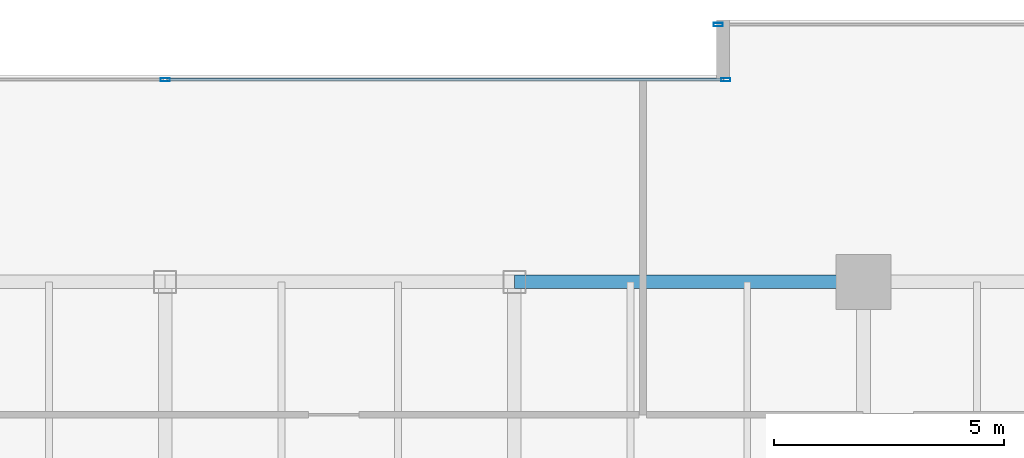
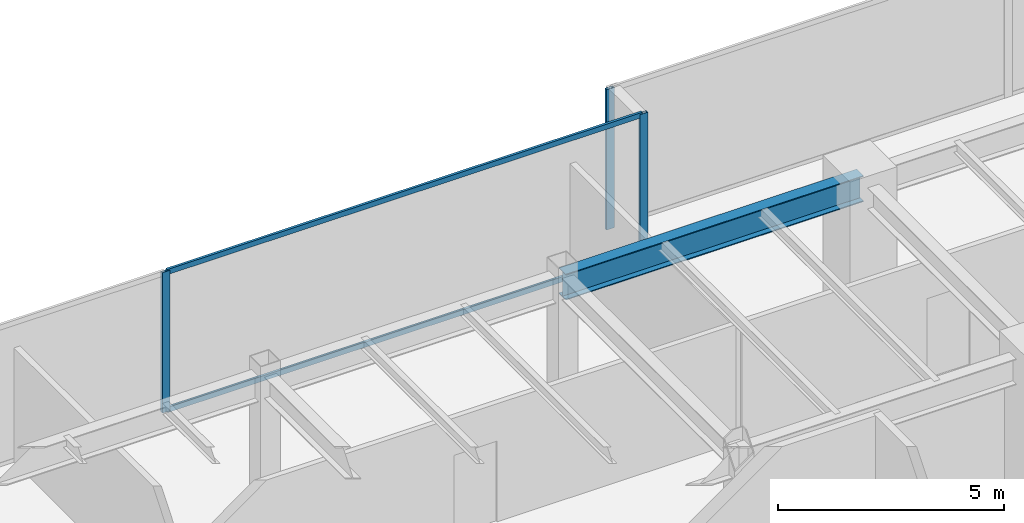
# One storey, part 18 of 31: 5 members, 1 beam, 2 elements without a shape of their own.
"""IFC4 building model written with IfcOpenShell, lengths in metres."""

import ifcopenshell
import ifcopenshell.guid

model = None  # the IFC model being written
_history = None  # IfcOwnerHistory: only IFC2X3 demands one
_inside = {}  # id of a spatial element -> (the spatial element, [elements in it])
_under = {}  # id of a project, library or spatial element -> (it, [spatial elements below it])
_declared = {}  # id of a project -> (the project, [libraries it declares])
_typed = {}  # id of a type object -> (the type object, [elements of that type])
_made_of = {}  # id of a material, layer set ... -> (it, [elements and type objects made of it])


def new_model(schema):
    """Start an empty IFC model of exactly this schema.

    Asked for "IFC4X3", IfcOpenShell would pick the latest addendum, in which some entities
    have other attributes; the version numbers below select the first issue.
    IFC2X3 requires an IfcOwnerHistory on every rooted entity: one is made here for all.
    """
    global model, _history
    if schema == "IFC4X3":
        model = ifcopenshell.file(schema_version=(4, 3, 0, 0))
    else:
        model = ifcopenshell.file(schema=schema)
    _inside.clear()
    _under.clear()
    _declared.clear()
    _typed.clear()
    _made_of.clear()
    _history = None
    if model.schema == "IFC2X3":
        org = make("IfcOrganization", Name="unknown")
        user = make(
            "IfcPersonAndOrganization",
            ThePerson=make("IfcPerson", FamilyName="unknown"),
            TheOrganization=org,
        )
        app = make(
            "IfcApplication",
            ApplicationDeveloper=org,
            Version="unknown",
            ApplicationFullName="unknown",
            ApplicationIdentifier="unknown",
        )
        _history = make(
            "IfcOwnerHistory",
            OwningUser=user,
            OwningApplication=app,
            ChangeAction="ADDED",
            CreationDate=0,
        )
    return model


def make(cls, **values):
    """One entity of the class cls with the attributes given. An attribute that is None is left unset."""
    return model.create_entity(
        cls, **{name: value for name, value in values.items() if value is not None}
    )


def rooted(cls, **values):
    """An entity with a GlobalId (a new one), such as an element, a storey or a relation."""
    return make(cls, GlobalId=ifcopenshell.guid.new(), OwnerHistory=_history, **values)


def si_unit(unit_type, name, prefix=None):
    """IfcSIUnit, for example si_unit("LENGTHUNIT", "METRE", prefix="MILLI")."""
    return make("IfcSIUnit", UnitType=unit_type, Prefix=prefix, Name=name)


def assignment(units):
    """IfcUnitAssignment: the units of a project."""
    return None if units is None else make("IfcUnitAssignment", Units=units)


def point(xyz):
    """IfcCartesianPoint."""
    return None if xyz is None else make("IfcCartesianPoint", Coordinates=xyz)


def direction(xyz):
    """IfcDirection."""
    return None if xyz is None else make("IfcDirection", DirectionRatios=xyz)


def frame(location, z_axis=None, x_axis=None):
    """IfcAxis2Placement3D, a coordinate frame: its origin and axes. An axis left out is left unset."""
    return make(
        "IfcAxis2Placement3D",
        Location=point(location),
        Axis=direction(z_axis),
        RefDirection=direction(x_axis),
    )


def frame_2d(location, x_axis=None):
    """IfcAxis2Placement2D, a coordinate frame in the plane: its origin and x axis."""
    return make(
        "IfcAxis2Placement2D", Location=point(location), RefDirection=direction(x_axis)
    )


def origin():
    """The frame at (0, 0, 0) with its axes left unset."""
    return frame((0.0, 0.0, 0.0))


def origin_2d():
    """The frame at (0, 0) in the plane with its x axis left unset."""
    return frame_2d((0.0, 0.0))


def place(relative_to, where):
    """IfcLocalPlacement: puts the frame where relative to a parent placement (None: the world)."""
    return make(
        "IfcLocalPlacement", PlacementRelTo=relative_to, RelativePlacement=where
    )


def context(
    kind, dimensions, precision=None, world=None, true_north=None, identifier=None
):
    """IfcGeometricRepresentationContext, for example the 3D "Model" context."""
    return make(
        "IfcGeometricRepresentationContext",
        ContextIdentifier=identifier,
        ContextType=kind,
        CoordinateSpaceDimension=dimensions,
        Precision=precision,
        WorldCoordinateSystem=world,
        TrueNorth=true_north,
    )


def subcontext(parent, identifier, kind, view, scale=None):
    """IfcGeometricRepresentationSubContext, for example "Body" below "Model"."""
    return make(
        "IfcGeometricRepresentationSubContext",
        ContextIdentifier=identifier,
        ContextType=kind,
        ParentContext=parent,
        TargetScale=scale,
        TargetView=view,
    )


def project(units=None, contexts=None):
    """IfcProject with its units and contexts."""
    return rooted(
        "IfcProject",
        Name="project",
        RepresentationContexts=contexts,
        UnitsInContext=assignment(units),
    )


def spatial(cls, under=None, at=None, **own):
    """A site, building, storey or space (cls), placed at a placement, below another one or the project."""
    s = rooted(cls, ObjectPlacement=at, **own)
    if under is not None:
        _under.setdefault(under.id(), (under, []))[1].append(s)
    return s


def profile(cls, at=None, kind="AREA", **sizes):
    """A parametric profile (cls). Its sizes go by their IFC names, for example OverallWidth=200.0."""
    return make(cls, ProfileType=kind, Position=at, **sizes)


def hollow_rectangle(**sizes):
    """IfcRectangleHollowProfileDef."""
    return profile("IfcRectangleHollowProfileDef", **sizes)


def i_section(**sizes):
    """IfcIShapeProfileDef."""
    return profile("IfcIShapeProfileDef", **sizes)


def extrude(swept, where, along, depth):
    """IfcExtrudedAreaSolid: the profile swept, set in the frame where, extruded along a direction by depth."""
    return make(
        "IfcExtrudedAreaSolid",
        SweptArea=swept,
        Position=where,
        ExtrudedDirection=direction(along),
        Depth=depth,
    )


def shape(context_of_items, identifier, shape_type, items):
    """IfcShapeRepresentation: the items that make up one representation, for example the "Body"."""
    return make(
        "IfcShapeRepresentation",
        ContextOfItems=context_of_items,
        RepresentationIdentifier=identifier,
        RepresentationType=shape_type,
        Items=items,
    )


def source(mapping_origin, context_of_items, identifier, shape_type, items):
    """IfcRepresentationMap: a shape defined once, which mapped items show again and again."""
    return make(
        "IfcRepresentationMap",
        MappingOrigin=mapping_origin,
        MappedRepresentation=shape(context_of_items, identifier, shape_type, items),
    )


def transform(
    local_origin,
    x_axis=None,
    y_axis=None,
    z_axis=None,
    scale=None,
    scale2=None,
    scale3=None,
    uniform=True,
):
    """IfcCartesianTransformationOperator3D, or its non-uniform kind. x_axis, y_axis, z_axis: its Axis1, 2, 3."""
    if uniform:
        return make(
            "IfcCartesianTransformationOperator3D",
            Axis1=direction(x_axis),
            Axis2=direction(y_axis),
            LocalOrigin=point(local_origin),
            Scale=scale,
            Axis3=direction(z_axis),
        )
    return make(
        "IfcCartesianTransformationOperator3DnonUniform",
        Axis1=direction(x_axis),
        Axis2=direction(y_axis),
        LocalOrigin=point(local_origin),
        Scale=scale,
        Axis3=direction(z_axis),
        Scale2=scale2,
        Scale3=scale3,
    )


def mapped(mapping_source, mapping_target):
    """IfcMappedItem: shows the shape of a source again, moved by a transform."""
    return make(
        "IfcMappedItem", MappingSource=mapping_source, MappingTarget=mapping_target
    )


def material(Name=None, Category=None):
    """IfcMaterial."""
    return make("IfcMaterial", Name=Name, Category=Category)


def layer(
    of_material, thickness, ventilated=None, Name=None, Category=None, Priority=None
):
    """IfcMaterialLayer: one layer of a wall or slab, of a material (None: an air gap)."""
    return make(
        "IfcMaterialLayer",
        Material=of_material,
        LayerThickness=thickness,
        IsVentilated=ventilated,
        Name=Name,
        Category=Category,
        Priority=Priority,
    )


def layer_set(layers, Name=None):
    """IfcMaterialLayerSet."""
    return make("IfcMaterialLayerSet", MaterialLayers=layers, LayerSetName=Name)


def material_profile(
    of_material, cross_section, Name=None, Category=None, Priority=None
):
    """IfcMaterialProfile: a cross section and its material."""
    return make(
        "IfcMaterialProfile",
        Name=Name,
        Material=of_material,
        Profile=cross_section,
        Priority=Priority,
        Category=Category,
    )


def profile_set(profiles, Name=None, composite=None):
    """IfcMaterialProfileSet."""
    return make(
        "IfcMaterialProfileSet",
        Name=Name,
        MaterialProfiles=profiles,
        CompositeProfile=composite,
    )


def made_of(thing, what):
    """Note that an element or type object is made of a material, layer set ...; save() writes the relation."""
    if what is not None:
        _made_of.setdefault(what.id(), (what, []))[1].append(thing)
    return thing


def type_object(cls, material=None, **own):
    """A type object (cls), such as IfcWallType, which elements share."""
    return made_of(rooted(cls, **own), material)


def type_shapes(of_type, sources):
    """Give a type object the sources (RepresentationMaps) that its elements show as mapped items."""
    of_type.RepresentationMaps = sources


def element(
    cls,
    number,
    at=None,
    inside=None,
    cuts=None,
    type_object=None,
    material=None,
    context=None,
    identifier="Body",
    shape_type=None,
    held_by="IfcProductDefinitionShape",
    body=None,
    shapes=None,
    **own,
):
    """One element of the class cls, such as IfcWall. Its Tag is "e" and its number.

    at: its placement. inside: the storey or other place that contains it. cuts: it is an
    opening in that element (IfcRelVoidsElement). A single representation is given by context,
    identifier, shape_type and body (its items); several are given by shapes. held_by: the class
    of the entity that holds the representations. save() writes the other relations.
    """
    e = rooted(cls, Tag="e%d" % number, ObjectPlacement=at, **own)
    if body is not None:
        shapes = [shape(context, identifier, shape_type, body)]
    if shapes is not None:
        e.Representation = make(held_by, Representations=shapes)
    if inside is not None:
        _inside.setdefault(inside.id(), (inside, []))[1].append(e)
    if cuts is not None:
        rooted(
            "IfcRelVoidsElement", RelatingBuildingElement=cuts, RelatedOpeningElement=e
        )
    if type_object is not None:
        _typed.setdefault(type_object.id(), (type_object, []))[1].append(e)
    return made_of(e, material)


def aggregate(whole, parts):
    """IfcRelAggregates: a whole, such as a stair, and the parts it consists of."""
    return rooted("IfcRelAggregates", RelatingObject=whole, RelatedObjects=parts)


def save(model, path):
    """Write the relations noted so far, then the file.

    IfcRelAggregates (storeys below a building ...), IfcRelContainedInSpatialStructure (elements
    in a storey), IfcRelDefinesByType, IfcRelAssociatesMaterial and IfcRelDeclares: one each for
    every whole, place, type object, material and project.
    """
    for whole, parts in _under.values():
        aggregate(whole, parts)
    for where, things in _inside.values():
        rooted(
            "IfcRelContainedInSpatialStructure",
            RelatedElements=things,
            RelatingStructure=where,
        )
    for kind, things in _typed.values():
        rooted("IfcRelDefinesByType", RelatedObjects=things, RelatingType=kind)
    for what, things in _made_of.values():
        rooted("IfcRelAssociatesMaterial", RelatedObjects=things, RelatingMaterial=what)
    for by, libraries in _declared.values():
        rooted("IfcRelDeclares", RelatingContext=by, RelatedDefinitions=libraries)
    model.write(path)


model = new_model("IFC4")

# Units and contexts
model_context = context("Model", 3, precision=1e-05, world=origin(), true_north=direction((0.0, 1.0)))
body_context = subcontext(model_context, "Body", "Model", "MODEL_VIEW")
ifc_project = project(units=[si_unit("LENGTHUNIT", "METRE"), si_unit("AREAUNIT", "SQUARE_METRE"), si_unit("VOLUMEUNIT", "CUBIC_METRE"), si_unit("PLANEANGLEUNIT", "RADIAN"), si_unit("MASSUNIT", "GRAM", prefix="KILO")], contexts=[model_context])

# Site, building, storey
site_placement = place(None, origin())
site = spatial("IfcSite", under=ifc_project, at=site_placement, CompositionType="ELEMENT")
building_placement = place(site_placement, origin())
building = spatial("IfcBuilding", under=site, at=building_placement, Name="Haelvirn Gate Laboratories", CompositionType="ELEMENT")
storey_placement = place(building_placement, frame((0.0, 0.0, 154.300048828125)))
storey = spatial("IfcBuildingStorey", under=building, at=storey_placement, Name="L37", CompositionType="ELEMENT", Elevation=154.300048828125)

# Beam
ifc_material_1 = material(Name="Steel SM355", Category="steel")
ifc_material_profile_1 = material_profile(ifc_material_1, i_section(OverallWidth=0.300048828125, OverallDepth=0.699951171875, WebThickness=0.012939453125, FlangeThickness=0.02392578125, at=origin_2d()), Name="H-700x300x13x24")
ifc_profile_set_1 = profile_set([ifc_material_profile_1], Name="Steel SM355")
beam_type = type_object("IfcBeamType", Name="BM-G-700", PredefinedType="BEAM", material=ifc_profile_set_1)
shared_shape_1 = source(origin(), body_context, "Body", "SweptSolid", [
    extrude(i_section(OverallWidth=0.300048828125, OverallDepth=0.699951171875, WebThickness=0.012939453125, FlangeThickness=0.02392578125, at=origin_2d()), origin(), (0.0, 0.0, 1.0), 7.60009765625),
])
type_shapes(beam_type, [shared_shape_1])
beam_placement = place(storey_placement, frame((45.0, 41.60009765625, 3.43994140625), z_axis=(1.0, 0.0, 0.0), x_axis=(0.0, 1.0, 0.0)))
element("IfcBeam", 1, at=beam_placement, inside=storey, type_object=beam_type, Name="L37 Primary Girder Y41.6 (45.0-52.6)", PredefinedType="BEAM", context=body_context, shape_type="MappedRepresentation", body=[
    mapped(shared_shape_1, transform((0.0, 0.0, 0.0), scale=1.0)),
])

# Curtain wall, members
ifc_material_2 = material(Name="Anodised bronze unitised aluminium & triple low-E glass", Category="aluminium")
ifc_layer = layer(ifc_material_2, 0.179931640625, Name="CW-SYS-3")
ifc_layer_set = layer_set([ifc_layer], Name="Anodised bronze unitised aluminium & triple low-E glass")
curtain_wall_type = type_object("IfcCurtainWallType", Name="CW-SYS-3", PredefinedType="NOTDEFINED", material=ifc_layer_set)
curtain_wall_1_placement = place(storey_placement, origin())
curtain_wall_1 = element("IfcCurtainWall", 2, at=curtain_wall_1_placement, inside=storey, type_object=curtain_wall_type, Name="L37 Unitised Curtain Wall CW-L37-P0-E12-1", PredefinedType="NOTDEFINED")
ifc_material_3 = material(Name="Extruded aluminium 6063-T6 (anodised bronze)", Category="aluminium")
ifc_material_profile_2 = material_profile(ifc_material_3, hollow_rectangle(XDim=0.06494140625, YDim=0.139892578125, WallThickness=0.00390625, at=origin_2d()), Name="CWT-140x65x4")
ifc_profile_set_2 = profile_set([ifc_material_profile_2], Name="Extruded aluminium 6063-T6 (anodised bronze)")
member_type_1 = type_object("IfcMemberType", Name="CWT-T140", PredefinedType="USERDEFINED", material=ifc_profile_set_2)
shared_shape_2 = source(origin(), body_context, "Body", "SweptSolid", [
    extrude(hollow_rectangle(XDim=0.06494140625, YDim=0.139892578125, WallThickness=0.00390625, at=origin_2d()), origin(), (0.0, 0.0, 1.0), 12.12744140625),
])
type_shapes(member_type_1, [shared_shape_2])
member_1_placement = place(storey_placement, frame((37.4375, 46.0, 0.032470703125), z_axis=(1.0, 0.0, 0.0), x_axis=(0.0, 1.0, 0.0)))
member_1 = element("IfcMember", 3, at=member_1_placement, type_object=member_type_1, Name="CW3 transom 2.1", ObjectType="TRANSOM", PredefinedType="USERDEFINED", context=body_context, shape_type="MappedRepresentation", body=[
    mapped(shared_shape_2, transform((0.0, 0.0, 0.0), scale=1.0)),
])
member_2_placement = place(storey_placement, frame((37.4375, 46.0, 3.757568359375), z_axis=(1.0, 0.0, 0.0), x_axis=(0.0, 1.0, 0.0)))
member_2 = element("IfcMember", 4, at=member_2_placement, type_object=member_type_1, Name="CW3 transom 2.2", ObjectType="TRANSOM", PredefinedType="USERDEFINED", context=body_context, shape_type="MappedRepresentation", body=[
    mapped(shared_shape_2, transform((0.0, 0.0, 0.0), scale=1.0)),
])

# Curtain wall, member
curtain_wall_2_placement = place(storey_placement, origin())
curtain_wall_2 = element("IfcCurtainWall", 5, at=curtain_wall_2_placement, inside=storey, type_object=curtain_wall_type, Name="L37 Unitised Curtain Wall CW-L37-P0-E10-1", PredefinedType="NOTDEFINED")
ifc_material_profile_3 = material_profile(ifc_material_3, hollow_rectangle(XDim=0.074951171875, YDim=0.199951171875, WallThickness=0.0048828125, at=origin_2d()), Name="CWM-200x75x5")
ifc_profile_set_3 = profile_set([ifc_material_profile_3], Name="Extruded aluminium 6063-T6 (anodised bronze)")
member_type_2 = type_object("IfcMemberType", Name="CWM-T200", PredefinedType="MULLION", material=ifc_profile_set_3)
shared_shape_3 = source(origin(), body_context, "Body", "SweptSolid", [
    extrude(hollow_rectangle(XDim=0.074951171875, YDim=0.199951171875, WallThickness=0.0048828125, at=origin_2d()), origin(), (0.0, 0.0, 1.0), 3.7900390625),
])
type_shapes(member_type_2, [shared_shape_3])
member_3_placement = place(storey_placement, frame((49.4375, 47.199951171875, 0.0), z_axis=(0.0, 0.0, 1.0), x_axis=(0.0, 1.0, 0.0)))
member_3 = element("IfcMember", 6, at=member_3_placement, type_object=member_type_2, Name="CW3 mullion 1", PredefinedType="MULLION", context=body_context, shape_type="MappedRepresentation", body=[
    mapped(shared_shape_3, transform((0.0, 0.0, 0.0), scale=1.0)),
])
aggregate(curtain_wall_2, [member_3])

# Member
member_4_placement = place(storey_placement, frame((37.39990234375, 46.0, 0.0), z_axis=(0.0, 0.0, 1.0), x_axis=(0.0, 1.0, 0.0)))
member_4 = element("IfcMember", 7, at=member_4_placement, type_object=member_type_2, Name="CW3 mullion 2", PredefinedType="MULLION", context=body_context, shape_type="MappedRepresentation", body=[
    mapped(shared_shape_3, transform((0.0, 0.0, 0.0), scale=1.0)),
])

member_5_placement = place(storey_placement, frame((49.6025390625, 46.0, 0.0), z_axis=(0.0, 0.0, 1.0), x_axis=(0.0, 1.0, 0.0)))
member_5 = element("IfcMember", 8, at=member_5_placement, type_object=member_type_2, Name="CW3 mullion 3", PredefinedType="MULLION", context=body_context, shape_type="MappedRepresentation", body=[
    mapped(shared_shape_3, transform((0.0, 0.0, 0.0), scale=1.0)),
])

aggregate(curtain_wall_1, [member_4, member_5, member_1, member_2])

save(model, "model.ifc")
